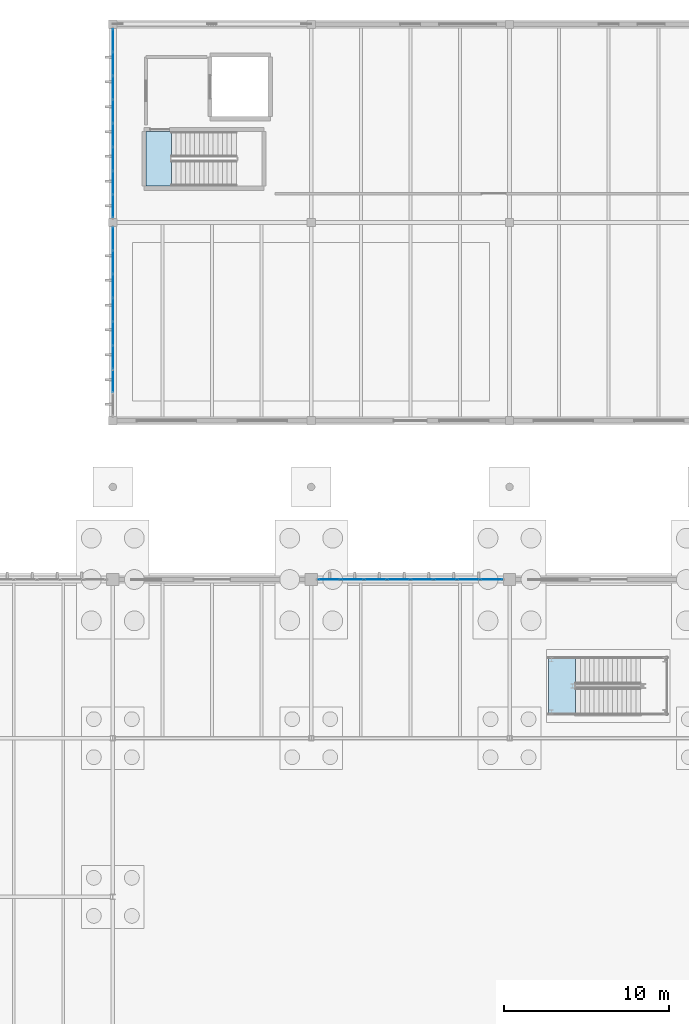
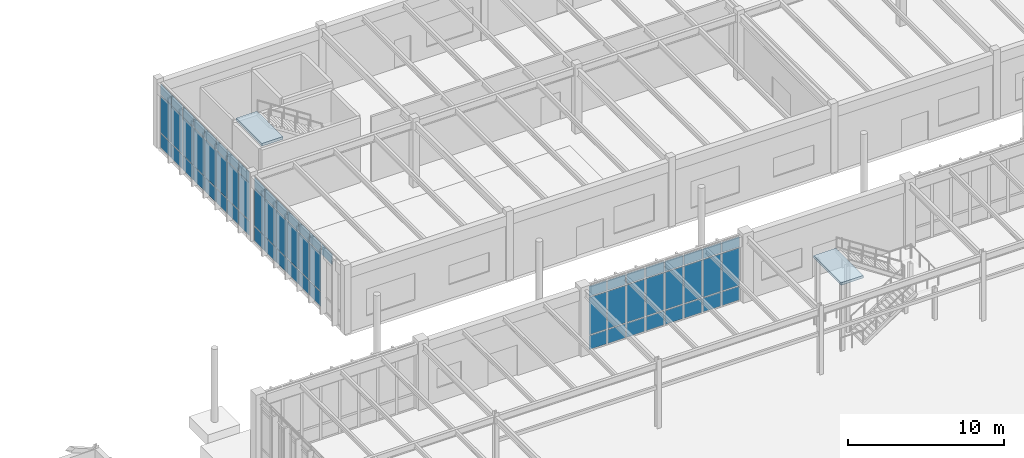
# One storey, part 137 of 188: 67 plates, 2 slabs, 5 elements without a shape of their own.
"""IFC4 building model written with IfcOpenShell, lengths in metres."""

import ifcopenshell
import ifcopenshell.guid

model = None  # the IFC model being written
_history = None  # IfcOwnerHistory: only IFC2X3 demands one
_inside = {}  # id of a spatial element -> (the spatial element, [elements in it])
_under = {}  # id of a project, library or spatial element -> (it, [spatial elements below it])
_declared = {}  # id of a project -> (the project, [libraries it declares])
_typed = {}  # id of a type object -> (the type object, [elements of that type])
_made_of = {}  # id of a material, layer set ... -> (it, [elements and type objects made of it])


def new_model(schema):
    """Start an empty IFC model of exactly this schema.

    Asked for "IFC4X3", IfcOpenShell would pick the latest addendum, in which some entities
    have other attributes; the version numbers below select the first issue.
    IFC2X3 requires an IfcOwnerHistory on every rooted entity: one is made here for all.
    """
    global model, _history
    if schema == "IFC4X3":
        model = ifcopenshell.file(schema_version=(4, 3, 0, 0))
    else:
        model = ifcopenshell.file(schema=schema)
    _inside.clear()
    _under.clear()
    _declared.clear()
    _typed.clear()
    _made_of.clear()
    _history = None
    if model.schema == "IFC2X3":
        org = make("IfcOrganization", Name="unknown")
        user = make(
            "IfcPersonAndOrganization",
            ThePerson=make("IfcPerson", FamilyName="unknown"),
            TheOrganization=org,
        )
        app = make(
            "IfcApplication",
            ApplicationDeveloper=org,
            Version="unknown",
            ApplicationFullName="unknown",
            ApplicationIdentifier="unknown",
        )
        _history = make(
            "IfcOwnerHistory",
            OwningUser=user,
            OwningApplication=app,
            ChangeAction="ADDED",
            CreationDate=0,
        )
    return model


def make(cls, **values):
    """One entity of the class cls with the attributes given. An attribute that is None is left unset."""
    return model.create_entity(
        cls, **{name: value for name, value in values.items() if value is not None}
    )


def rooted(cls, **values):
    """An entity with a GlobalId (a new one), such as an element, a storey or a relation."""
    return make(cls, GlobalId=ifcopenshell.guid.new(), OwnerHistory=_history, **values)


def si_unit(unit_type, name, prefix=None):
    """IfcSIUnit, for example si_unit("LENGTHUNIT", "METRE", prefix="MILLI")."""
    return make("IfcSIUnit", UnitType=unit_type, Prefix=prefix, Name=name)


def assignment(units):
    """IfcUnitAssignment: the units of a project."""
    return None if units is None else make("IfcUnitAssignment", Units=units)


def point(xyz):
    """IfcCartesianPoint."""
    return None if xyz is None else make("IfcCartesianPoint", Coordinates=xyz)


def direction(xyz):
    """IfcDirection."""
    return None if xyz is None else make("IfcDirection", DirectionRatios=xyz)


def frame(location, z_axis=None, x_axis=None):
    """IfcAxis2Placement3D, a coordinate frame: its origin and axes. An axis left out is left unset."""
    return make(
        "IfcAxis2Placement3D",
        Location=point(location),
        Axis=direction(z_axis),
        RefDirection=direction(x_axis),
    )


def frame_2d(location, x_axis=None):
    """IfcAxis2Placement2D, a coordinate frame in the plane: its origin and x axis."""
    return make(
        "IfcAxis2Placement2D", Location=point(location), RefDirection=direction(x_axis)
    )


def origin():
    """The frame at (0, 0, 0) with its axes left unset."""
    return frame((0.0, 0.0, 0.0))


def origin_2d():
    """The frame at (0, 0) in the plane with its x axis left unset."""
    return frame_2d((0.0, 0.0))


def place(relative_to, where):
    """IfcLocalPlacement: puts the frame where relative to a parent placement (None: the world)."""
    return make(
        "IfcLocalPlacement", PlacementRelTo=relative_to, RelativePlacement=where
    )


def context(
    kind, dimensions, precision=None, world=None, true_north=None, identifier=None
):
    """IfcGeometricRepresentationContext, for example the 3D "Model" context."""
    return make(
        "IfcGeometricRepresentationContext",
        ContextIdentifier=identifier,
        ContextType=kind,
        CoordinateSpaceDimension=dimensions,
        Precision=precision,
        WorldCoordinateSystem=world,
        TrueNorth=true_north,
    )


def subcontext(parent, identifier, kind, view, scale=None):
    """IfcGeometricRepresentationSubContext, for example "Body" below "Model"."""
    return make(
        "IfcGeometricRepresentationSubContext",
        ContextIdentifier=identifier,
        ContextType=kind,
        ParentContext=parent,
        TargetScale=scale,
        TargetView=view,
    )


def project(units=None, contexts=None):
    """IfcProject with its units and contexts."""
    return rooted(
        "IfcProject",
        Name="project",
        RepresentationContexts=contexts,
        UnitsInContext=assignment(units),
    )


def spatial(cls, under=None, at=None, **own):
    """A site, building, storey or space (cls), placed at a placement, below another one or the project."""
    s = rooted(cls, ObjectPlacement=at, **own)
    if under is not None:
        _under.setdefault(under.id(), (under, []))[1].append(s)
    return s


def polyline(points):
    """IfcPolyline through the points."""
    return make("IfcPolyline", Points=[point(p) for p in points])


def profile(cls, at=None, kind="AREA", **sizes):
    """A parametric profile (cls). Its sizes go by their IFC names, for example OverallWidth=200.0."""
    return make(cls, ProfileType=kind, Position=at, **sizes)


def rectangle(**sizes):
    """IfcRectangleProfileDef."""
    return profile("IfcRectangleProfileDef", **sizes)


def outline(outer, holes=None, kind="AREA"):
    """IfcArbitraryClosedProfileDef: a profile drawn as a closed curve; with holes, ...WithVoids."""
    if holes is None:
        return make("IfcArbitraryClosedProfileDef", ProfileType=kind, OuterCurve=outer)
    return make(
        "IfcArbitraryProfileDefWithVoids",
        ProfileType=kind,
        OuterCurve=outer,
        InnerCurves=holes,
    )


def extrude(swept, where, along, depth):
    """IfcExtrudedAreaSolid: the profile swept, set in the frame where, extruded along a direction by depth."""
    return make(
        "IfcExtrudedAreaSolid",
        SweptArea=swept,
        Position=where,
        ExtrudedDirection=direction(along),
        Depth=depth,
    )


def shape(context_of_items, identifier, shape_type, items):
    """IfcShapeRepresentation: the items that make up one representation, for example the "Body"."""
    return make(
        "IfcShapeRepresentation",
        ContextOfItems=context_of_items,
        RepresentationIdentifier=identifier,
        RepresentationType=shape_type,
        Items=items,
    )


def material(Name=None, Category=None):
    """IfcMaterial."""
    return make("IfcMaterial", Name=Name, Category=Category)


def layer(
    of_material, thickness, ventilated=None, Name=None, Category=None, Priority=None
):
    """IfcMaterialLayer: one layer of a wall or slab, of a material (None: an air gap)."""
    return make(
        "IfcMaterialLayer",
        Material=of_material,
        LayerThickness=thickness,
        IsVentilated=ventilated,
        Name=Name,
        Category=Category,
        Priority=Priority,
    )


def layer_set(layers, Name=None):
    """IfcMaterialLayerSet."""
    return make("IfcMaterialLayerSet", MaterialLayers=layers, LayerSetName=Name)


def made_of(thing, what):
    """Note that an element or type object is made of a material, layer set ...; save() writes the relation."""
    if what is not None:
        _made_of.setdefault(what.id(), (what, []))[1].append(thing)
    return thing


def type_object(cls, material=None, **own):
    """A type object (cls), such as IfcWallType, which elements share."""
    return made_of(rooted(cls, **own), material)


def element(
    cls,
    number,
    at=None,
    inside=None,
    cuts=None,
    type_object=None,
    material=None,
    context=None,
    identifier="Body",
    shape_type=None,
    held_by="IfcProductDefinitionShape",
    body=None,
    shapes=None,
    **own,
):
    """One element of the class cls, such as IfcWall. Its Tag is "e" and its number.

    at: its placement. inside: the storey or other place that contains it. cuts: it is an
    opening in that element (IfcRelVoidsElement). A single representation is given by context,
    identifier, shape_type and body (its items); several are given by shapes. held_by: the class
    of the entity that holds the representations. save() writes the other relations.
    """
    e = rooted(cls, Tag="e%d" % number, ObjectPlacement=at, **own)
    if body is not None:
        shapes = [shape(context, identifier, shape_type, body)]
    if shapes is not None:
        e.Representation = make(held_by, Representations=shapes)
    if inside is not None:
        _inside.setdefault(inside.id(), (inside, []))[1].append(e)
    if cuts is not None:
        rooted(
            "IfcRelVoidsElement", RelatingBuildingElement=cuts, RelatedOpeningElement=e
        )
    if type_object is not None:
        _typed.setdefault(type_object.id(), (type_object, []))[1].append(e)
    return made_of(e, material)


def aggregate(whole, parts):
    """IfcRelAggregates: a whole, such as a stair, and the parts it consists of."""
    return rooted("IfcRelAggregates", RelatingObject=whole, RelatedObjects=parts)


def save(model, path):
    """Write the relations noted so far, then the file.

    IfcRelAggregates (storeys below a building ...), IfcRelContainedInSpatialStructure (elements
    in a storey), IfcRelDefinesByType, IfcRelAssociatesMaterial and IfcRelDeclares: one each for
    every whole, place, type object, material and project.
    """
    for whole, parts in _under.values():
        aggregate(whole, parts)
    for where, things in _inside.values():
        rooted(
            "IfcRelContainedInSpatialStructure",
            RelatedElements=things,
            RelatingStructure=where,
        )
    for kind, things in _typed.values():
        rooted("IfcRelDefinesByType", RelatedObjects=things, RelatingType=kind)
    for what, things in _made_of.values():
        rooted("IfcRelAssociatesMaterial", RelatedObjects=things, RelatingMaterial=what)
    for by, libraries in _declared.values():
        rooted("IfcRelDeclares", RelatingContext=by, RelatedDefinitions=libraries)
    model.write(path)


model = new_model("IFC4")

# Units and contexts
model_context = context("Model", 3, precision=1e-05, world=origin(), true_north=direction((0.0, 1.0)))
body_context = subcontext(model_context, "Body", "Model", "MODEL_VIEW")
ifc_project = project(units=[si_unit("LENGTHUNIT", "METRE"), si_unit("AREAUNIT", "SQUARE_METRE"), si_unit("VOLUMEUNIT", "CUBIC_METRE"), si_unit("PLANEANGLEUNIT", "RADIAN"), si_unit("MASSUNIT", "GRAM", prefix="KILO")], contexts=[model_context])

# Site, building, storey
site_placement = place(None, origin())
site = spatial("IfcSite", under=ifc_project, at=site_placement, CompositionType="ELEMENT")
building_placement = place(site_placement, origin())
building = spatial("IfcBuilding", under=site, at=building_placement, Name="Pandanus Reach Market Hall", CompositionType="ELEMENT")
storey_placement = place(building_placement, origin())
storey = spatial("IfcBuildingStorey", under=building, at=storey_placement, Name="L00", CompositionType="ELEMENT", Elevation=0.0)

# Curtain wall, plates
ifc_material_1 = material(Name="Bronze anodised aluminium and low-E glass", Category="aluminium")
ifc_layer_1 = layer(ifc_material_1, 0.159912109375, Name="CW-41")
ifc_layer_set_1 = layer_set([ifc_layer_1], Name="Bronze anodised aluminium and low-E glass")
curtain_wall_type_1 = type_object("IfcCurtainWallType", Name="CW-41", PredefinedType="NOTDEFINED", material=ifc_layer_set_1)
curtain_wall_1_placement = place(storey_placement, origin())
curtain_wall_1 = element("IfcCurtainWall", 1, at=curtain_wall_1_placement, inside=storey, type_object=curtain_wall_type_1, Name="Glazed curtain wall CW-41 CW-0147", PredefinedType="NOTDEFINED")
ifc_material_2 = material(Name="Solar-control double glazing", Category="glass")
ifc_layer_2 = layer(ifc_material_2, 0.028076171875, Name="CW-P1")
ifc_layer_set_2 = layer_set([ifc_layer_2], Name="Solar-control double glazing")
plate_type_1 = type_object("IfcPlateType", Name="CW-P1", PredefinedType="CURTAIN_PANEL", material=ifc_layer_set_2)
plate_1_placement = place(storey_placement, frame((60.0, 98.40625, 4.21240234375), z_axis=(0.0, 0.0, 1.0), x_axis=(0.0, 1.0, 0.0)))
plate_1 = element("IfcPlate", 2, at=plate_1_placement, type_object=plate_type_1, Name="CW-41 panel 2.3", PredefinedType="CURTAIN_PANEL", context=body_context, shape_type="SweptSolid", body=[
    extrude(rectangle(XDim=1.37255859375, YDim=0.028076171875, at=origin_2d()), origin(), (0.0, 0.0, 1.0), 0.802490234375),
])
plate_2_placement = place(storey_placement, frame((60.0, 99.84375, 0.06494140625), z_axis=(0.0, 0.0, 1.0), x_axis=(0.0, 1.0, 0.0)))
plate_2 = element("IfcPlate", 3, at=plate_2_placement, type_object=plate_type_1, Name="CW-41 panel 3.1", PredefinedType="CURTAIN_PANEL", context=body_context, shape_type="SweptSolid", body=[
    extrude(rectangle(XDim=1.37255859375, YDim=0.028076171875, at=origin_2d()), origin(), (0.0, 0.0, 1.0), 1.1025390625),
])
plate_3_placement = place(storey_placement, frame((60.0, 99.84375, 1.232421875), z_axis=(0.0, 0.0, 1.0), x_axis=(0.0, 1.0, 0.0)))
plate_3 = element("IfcPlate", 4, at=plate_3_placement, type_object=plate_type_1, Name="CW-41 panel 3.2", PredefinedType="CURTAIN_PANEL", context=body_context, shape_type="SweptSolid", body=[
    extrude(rectangle(XDim=1.37255859375, YDim=0.028076171875, at=origin_2d()), origin(), (0.0, 0.0, 1.0), 2.9150390625),
])
plate_4_placement = place(storey_placement, frame((60.0, 99.84375, 4.21240234375), z_axis=(0.0, 0.0, 1.0), x_axis=(0.0, 1.0, 0.0)))
plate_4 = element("IfcPlate", 5, at=plate_4_placement, type_object=plate_type_1, Name="CW-41 panel 3.3", PredefinedType="CURTAIN_PANEL", context=body_context, shape_type="SweptSolid", body=[
    extrude(rectangle(XDim=1.37255859375, YDim=0.028076171875, at=origin_2d()), origin(), (0.0, 0.0, 1.0), 0.802490234375),
])
plate_5_placement = place(storey_placement, frame((60.0, 101.28125, 0.06494140625), z_axis=(0.0, 0.0, 1.0), x_axis=(0.0, 1.0, 0.0)))
plate_5 = element("IfcPlate", 6, at=plate_5_placement, type_object=plate_type_1, Name="CW-41 panel 4.1", PredefinedType="CURTAIN_PANEL", context=body_context, shape_type="SweptSolid", body=[
    extrude(rectangle(XDim=1.37255859375, YDim=0.028076171875, at=origin_2d()), origin(), (0.0, 0.0, 1.0), 1.1025390625),
])
plate_6_placement = place(storey_placement, frame((60.0, 101.28125, 1.232421875), z_axis=(0.0, 0.0, 1.0), x_axis=(0.0, 1.0, 0.0)))
plate_6 = element("IfcPlate", 7, at=plate_6_placement, type_object=plate_type_1, Name="CW-41 panel 4.2", PredefinedType="CURTAIN_PANEL", context=body_context, shape_type="SweptSolid", body=[
    extrude(rectangle(XDim=1.37255859375, YDim=0.028076171875, at=origin_2d()), origin(), (0.0, 0.0, 1.0), 2.9150390625),
])
plate_7_placement = place(storey_placement, frame((60.0, 101.28125, 4.21240234375), z_axis=(0.0, 0.0, 1.0), x_axis=(0.0, 1.0, 0.0)))
plate_7 = element("IfcPlate", 8, at=plate_7_placement, type_object=plate_type_1, Name="CW-41 panel 4.3", PredefinedType="CURTAIN_PANEL", context=body_context, shape_type="SweptSolid", body=[
    extrude(rectangle(XDim=1.37255859375, YDim=0.028076171875, at=origin_2d()), origin(), (0.0, 0.0, 1.0), 0.802490234375),
])
plate_8_placement = place(storey_placement, frame((60.0, 102.71875, 0.06494140625), z_axis=(0.0, 0.0, 1.0), x_axis=(0.0, 1.0, 0.0)))
plate_8 = element("IfcPlate", 9, at=plate_8_placement, type_object=plate_type_1, Name="CW-41 panel 5.1", PredefinedType="CURTAIN_PANEL", context=body_context, shape_type="SweptSolid", body=[
    extrude(rectangle(XDim=1.37255859375, YDim=0.028076171875, at=origin_2d()), origin(), (0.0, 0.0, 1.0), 1.1025390625),
])
plate_9_placement = place(storey_placement, frame((60.0, 102.71875, 1.232421875), z_axis=(0.0, 0.0, 1.0), x_axis=(0.0, 1.0, 0.0)))
plate_9 = element("IfcPlate", 10, at=plate_9_placement, type_object=plate_type_1, Name="CW-41 panel 5.2", PredefinedType="CURTAIN_PANEL", context=body_context, shape_type="SweptSolid", body=[
    extrude(rectangle(XDim=1.37255859375, YDim=0.028076171875, at=origin_2d()), origin(), (0.0, 0.0, 1.0), 2.9150390625),
])
plate_10_placement = place(storey_placement, frame((60.0, 102.71875, 4.21240234375), z_axis=(0.0, 0.0, 1.0), x_axis=(0.0, 1.0, 0.0)))
plate_10 = element("IfcPlate", 11, at=plate_10_placement, type_object=plate_type_1, Name="CW-41 panel 5.3", PredefinedType="CURTAIN_PANEL", context=body_context, shape_type="SweptSolid", body=[
    extrude(rectangle(XDim=1.37255859375, YDim=0.028076171875, at=origin_2d()), origin(), (0.0, 0.0, 1.0), 0.802490234375),
])
plate_11_placement = place(storey_placement, frame((60.0, 104.15625, 0.06494140625), z_axis=(0.0, 0.0, 1.0), x_axis=(0.0, 1.0, 0.0)))
plate_11 = element("IfcPlate", 12, at=plate_11_placement, type_object=plate_type_1, Name="CW-41 panel 6.1", PredefinedType="CURTAIN_PANEL", context=body_context, shape_type="SweptSolid", body=[
    extrude(rectangle(XDim=1.37255859375, YDim=0.028076171875, at=origin_2d()), origin(), (0.0, 0.0, 1.0), 1.1025390625),
])
plate_12_placement = place(storey_placement, frame((60.0, 104.15625, 1.232421875), z_axis=(0.0, 0.0, 1.0), x_axis=(0.0, 1.0, 0.0)))
plate_12 = element("IfcPlate", 13, at=plate_12_placement, type_object=plate_type_1, Name="CW-41 panel 6.2", PredefinedType="CURTAIN_PANEL", context=body_context, shape_type="SweptSolid", body=[
    extrude(rectangle(XDim=1.37255859375, YDim=0.028076171875, at=origin_2d()), origin(), (0.0, 0.0, 1.0), 2.9150390625),
])
plate_13_placement = place(storey_placement, frame((60.0, 104.15625, 4.21240234375), z_axis=(0.0, 0.0, 1.0), x_axis=(0.0, 1.0, 0.0)))
plate_13 = element("IfcPlate", 14, at=plate_13_placement, type_object=plate_type_1, Name="CW-41 panel 6.3", PredefinedType="CURTAIN_PANEL", context=body_context, shape_type="SweptSolid", body=[
    extrude(rectangle(XDim=1.37255859375, YDim=0.028076171875, at=origin_2d()), origin(), (0.0, 0.0, 1.0), 0.802490234375),
])
plate_14_placement = place(storey_placement, frame((60.0, 105.59375, 0.06494140625), z_axis=(0.0, 0.0, 1.0), x_axis=(0.0, 1.0, 0.0)))
plate_14 = element("IfcPlate", 15, at=plate_14_placement, type_object=plate_type_1, Name="CW-41 panel 7.1", PredefinedType="CURTAIN_PANEL", context=body_context, shape_type="SweptSolid", body=[
    extrude(rectangle(XDim=1.37255859375, YDim=0.028076171875, at=origin_2d()), origin(), (0.0, 0.0, 1.0), 1.1025390625),
])
plate_15_placement = place(storey_placement, frame((60.0, 105.59375, 1.232421875), z_axis=(0.0, 0.0, 1.0), x_axis=(0.0, 1.0, 0.0)))
plate_15 = element("IfcPlate", 16, at=plate_15_placement, type_object=plate_type_1, Name="CW-41 panel 7.2", PredefinedType="CURTAIN_PANEL", context=body_context, shape_type="SweptSolid", body=[
    extrude(rectangle(XDim=1.37255859375, YDim=0.028076171875, at=origin_2d()), origin(), (0.0, 0.0, 1.0), 2.9150390625),
])
plate_16_placement = place(storey_placement, frame((60.0, 105.59375, 4.21240234375), z_axis=(0.0, 0.0, 1.0), x_axis=(0.0, 1.0, 0.0)))
plate_16 = element("IfcPlate", 17, at=plate_16_placement, type_object=plate_type_1, Name="CW-41 panel 7.3", PredefinedType="CURTAIN_PANEL", context=body_context, shape_type="SweptSolid", body=[
    extrude(rectangle(XDim=1.37255859375, YDim=0.028076171875, at=origin_2d()), origin(), (0.0, 0.0, 1.0), 0.802490234375),
])
plate_17_placement = place(storey_placement, frame((60.0, 107.014892578125, 0.06494140625), z_axis=(0.0, 0.0, 1.0), x_axis=(0.0, 1.0, 0.0)))
plate_17 = element("IfcPlate", 18, at=plate_17_placement, type_object=plate_type_1, Name="CW-41 panel 8.1", PredefinedType="CURTAIN_PANEL", context=body_context, shape_type="SweptSolid", body=[
    extrude(rectangle(XDim=1.340087890625, YDim=0.028076171875, at=origin_2d()), origin(), (0.0, 0.0, 1.0), 1.1025390625),
])
plate_18_placement = place(storey_placement, frame((60.0, 107.014892578125, 1.232421875), z_axis=(0.0, 0.0, 1.0), x_axis=(0.0, 1.0, 0.0)))
plate_18 = element("IfcPlate", 19, at=plate_18_placement, type_object=plate_type_1, Name="CW-41 panel 8.2", PredefinedType="CURTAIN_PANEL", context=body_context, shape_type="SweptSolid", body=[
    extrude(rectangle(XDim=1.340087890625, YDim=0.028076171875, at=origin_2d()), origin(), (0.0, 0.0, 1.0), 2.9150390625),
])
plate_19_placement = place(storey_placement, frame((60.0, 107.014892578125, 4.21240234375), z_axis=(0.0, 0.0, 1.0), x_axis=(0.0, 1.0, 0.0)))
plate_19 = element("IfcPlate", 20, at=plate_19_placement, type_object=plate_type_1, Name="CW-41 panel 8.3", PredefinedType="CURTAIN_PANEL", context=body_context, shape_type="SweptSolid", body=[
    extrude(rectangle(XDim=1.340087890625, YDim=0.028076171875, at=origin_2d()), origin(), (0.0, 0.0, 1.0), 0.802490234375),
])
aggregate(curtain_wall_1, [plate_1, plate_2, plate_3, plate_4, plate_5, plate_6, plate_7, plate_8, plate_9, plate_10, plate_11, plate_12, plate_13, plate_14, plate_15, plate_16, plate_17, plate_18, plate_19])

curtain_wall_2_placement = place(storey_placement, origin())
curtain_wall_2 = element("IfcCurtainWall", 21, at=curtain_wall_2_placement, inside=storey, type_object=curtain_wall_type_1, Name="Glazed curtain wall CW-41 CW-0150", PredefinedType="NOTDEFINED")
plate_20_placement = place(storey_placement, frame((60.0, 108.985107421875, 0.06494140625), z_axis=(0.0, 0.0, 1.0), x_axis=(0.0, 1.0, 0.0)))
plate_20 = element("IfcPlate", 22, at=plate_20_placement, type_object=plate_type_1, Name="CW-41 panel 1.1", PredefinedType="CURTAIN_PANEL", context=body_context, shape_type="SweptSolid", body=[
    extrude(rectangle(XDim=1.340087890625, YDim=0.028076171875, at=origin_2d()), origin(), (0.0, 0.0, 1.0), 1.1025390625),
])
plate_21_placement = place(storey_placement, frame((60.0, 108.985107421875, 1.232421875), z_axis=(0.0, 0.0, 1.0), x_axis=(0.0, 1.0, 0.0)))
plate_21 = element("IfcPlate", 23, at=plate_21_placement, type_object=plate_type_1, Name="CW-41 panel 1.2", PredefinedType="CURTAIN_PANEL", context=body_context, shape_type="SweptSolid", body=[
    extrude(rectangle(XDim=1.340087890625, YDim=0.028076171875, at=origin_2d()), origin(), (0.0, 0.0, 1.0), 2.9150390625),
])
plate_22_placement = place(storey_placement, frame((60.0, 108.985107421875, 4.21240234375), z_axis=(0.0, 0.0, 1.0), x_axis=(0.0, 1.0, 0.0)))
plate_22 = element("IfcPlate", 24, at=plate_22_placement, type_object=plate_type_1, Name="CW-41 panel 1.3", PredefinedType="CURTAIN_PANEL", context=body_context, shape_type="SweptSolid", body=[
    extrude(rectangle(XDim=1.340087890625, YDim=0.028076171875, at=origin_2d()), origin(), (0.0, 0.0, 1.0), 0.802490234375),
])
plate_23_placement = place(storey_placement, frame((60.0, 110.40625, 0.06494140625), z_axis=(0.0, 0.0, 1.0), x_axis=(0.0, 1.0, 0.0)))
plate_23 = element("IfcPlate", 25, at=plate_23_placement, type_object=plate_type_1, Name="CW-41 panel 2.1", PredefinedType="CURTAIN_PANEL", context=body_context, shape_type="SweptSolid", body=[
    extrude(rectangle(XDim=1.37255859375, YDim=0.028076171875, at=origin_2d()), origin(), (0.0, 0.0, 1.0), 1.1025390625),
])
plate_24_placement = place(storey_placement, frame((60.0, 110.40625, 1.232421875), z_axis=(0.0, 0.0, 1.0), x_axis=(0.0, 1.0, 0.0)))
plate_24 = element("IfcPlate", 26, at=plate_24_placement, type_object=plate_type_1, Name="CW-41 panel 2.2", PredefinedType="CURTAIN_PANEL", context=body_context, shape_type="SweptSolid", body=[
    extrude(rectangle(XDim=1.37255859375, YDim=0.028076171875, at=origin_2d()), origin(), (0.0, 0.0, 1.0), 2.9150390625),
])
plate_25_placement = place(storey_placement, frame((60.0, 110.40625, 4.21240234375), z_axis=(0.0, 0.0, 1.0), x_axis=(0.0, 1.0, 0.0)))
plate_25 = element("IfcPlate", 27, at=plate_25_placement, type_object=plate_type_1, Name="CW-41 panel 2.3", PredefinedType="CURTAIN_PANEL", context=body_context, shape_type="SweptSolid", body=[
    extrude(rectangle(XDim=1.37255859375, YDim=0.028076171875, at=origin_2d()), origin(), (0.0, 0.0, 1.0), 0.802490234375),
])
plate_26_placement = place(storey_placement, frame((60.0, 111.84375, 0.06494140625), z_axis=(0.0, 0.0, 1.0), x_axis=(0.0, 1.0, 0.0)))
plate_26 = element("IfcPlate", 28, at=plate_26_placement, type_object=plate_type_1, Name="CW-41 panel 3.1", PredefinedType="CURTAIN_PANEL", context=body_context, shape_type="SweptSolid", body=[
    extrude(rectangle(XDim=1.37255859375, YDim=0.028076171875, at=origin_2d()), origin(), (0.0, 0.0, 1.0), 1.1025390625),
])
plate_27_placement = place(storey_placement, frame((60.0, 111.84375, 1.232421875), z_axis=(0.0, 0.0, 1.0), x_axis=(0.0, 1.0, 0.0)))
plate_27 = element("IfcPlate", 29, at=plate_27_placement, type_object=plate_type_1, Name="CW-41 panel 3.2", PredefinedType="CURTAIN_PANEL", context=body_context, shape_type="SweptSolid", body=[
    extrude(rectangle(XDim=1.37255859375, YDim=0.028076171875, at=origin_2d()), origin(), (0.0, 0.0, 1.0), 2.9150390625),
])
plate_28_placement = place(storey_placement, frame((60.0, 111.84375, 4.21240234375), z_axis=(0.0, 0.0, 1.0), x_axis=(0.0, 1.0, 0.0)))
plate_28 = element("IfcPlate", 30, at=plate_28_placement, type_object=plate_type_1, Name="CW-41 panel 3.3", PredefinedType="CURTAIN_PANEL", context=body_context, shape_type="SweptSolid", body=[
    extrude(rectangle(XDim=1.37255859375, YDim=0.028076171875, at=origin_2d()), origin(), (0.0, 0.0, 1.0), 0.802490234375),
])
plate_29_placement = place(storey_placement, frame((60.0, 113.28125, 0.06494140625), z_axis=(0.0, 0.0, 1.0), x_axis=(0.0, 1.0, 0.0)))
plate_29 = element("IfcPlate", 31, at=plate_29_placement, type_object=plate_type_1, Name="CW-41 panel 4.1", PredefinedType="CURTAIN_PANEL", context=body_context, shape_type="SweptSolid", body=[
    extrude(rectangle(XDim=1.37255859375, YDim=0.028076171875, at=origin_2d()), origin(), (0.0, 0.0, 1.0), 1.1025390625),
])
plate_30_placement = place(storey_placement, frame((60.0, 113.28125, 1.232421875), z_axis=(0.0, 0.0, 1.0), x_axis=(0.0, 1.0, 0.0)))
plate_30 = element("IfcPlate", 32, at=plate_30_placement, type_object=plate_type_1, Name="CW-41 panel 4.2", PredefinedType="CURTAIN_PANEL", context=body_context, shape_type="SweptSolid", body=[
    extrude(rectangle(XDim=1.37255859375, YDim=0.028076171875, at=origin_2d()), origin(), (0.0, 0.0, 1.0), 2.9150390625),
])
plate_31_placement = place(storey_placement, frame((60.0, 113.28125, 4.21240234375), z_axis=(0.0, 0.0, 1.0), x_axis=(0.0, 1.0, 0.0)))
plate_31 = element("IfcPlate", 33, at=plate_31_placement, type_object=plate_type_1, Name="CW-41 panel 4.3", PredefinedType="CURTAIN_PANEL", context=body_context, shape_type="SweptSolid", body=[
    extrude(rectangle(XDim=1.37255859375, YDim=0.028076171875, at=origin_2d()), origin(), (0.0, 0.0, 1.0), 0.802490234375),
])
plate_32_placement = place(storey_placement, frame((60.0, 114.71875, 0.06494140625), z_axis=(0.0, 0.0, 1.0), x_axis=(0.0, 1.0, 0.0)))
plate_32 = element("IfcPlate", 34, at=plate_32_placement, type_object=plate_type_1, Name="CW-41 panel 5.1", PredefinedType="CURTAIN_PANEL", context=body_context, shape_type="SweptSolid", body=[
    extrude(rectangle(XDim=1.37255859375, YDim=0.028076171875, at=origin_2d()), origin(), (0.0, 0.0, 1.0), 1.1025390625),
])
plate_33_placement = place(storey_placement, frame((60.0, 114.71875, 1.232421875), z_axis=(0.0, 0.0, 1.0), x_axis=(0.0, 1.0, 0.0)))
plate_33 = element("IfcPlate", 35, at=plate_33_placement, type_object=plate_type_1, Name="CW-41 panel 5.2", PredefinedType="CURTAIN_PANEL", context=body_context, shape_type="SweptSolid", body=[
    extrude(rectangle(XDim=1.37255859375, YDim=0.028076171875, at=origin_2d()), origin(), (0.0, 0.0, 1.0), 2.9150390625),
])
plate_34_placement = place(storey_placement, frame((60.0, 114.71875, 4.21240234375), z_axis=(0.0, 0.0, 1.0), x_axis=(0.0, 1.0, 0.0)))
plate_34 = element("IfcPlate", 36, at=plate_34_placement, type_object=plate_type_1, Name="CW-41 panel 5.3", PredefinedType="CURTAIN_PANEL", context=body_context, shape_type="SweptSolid", body=[
    extrude(rectangle(XDim=1.37255859375, YDim=0.028076171875, at=origin_2d()), origin(), (0.0, 0.0, 1.0), 0.802490234375),
])
plate_35_placement = place(storey_placement, frame((60.0, 116.15625, 0.06494140625), z_axis=(0.0, 0.0, 1.0), x_axis=(0.0, 1.0, 0.0)))
plate_35 = element("IfcPlate", 37, at=plate_35_placement, type_object=plate_type_1, Name="CW-41 panel 6.1", PredefinedType="CURTAIN_PANEL", context=body_context, shape_type="SweptSolid", body=[
    extrude(rectangle(XDim=1.37255859375, YDim=0.028076171875, at=origin_2d()), origin(), (0.0, 0.0, 1.0), 1.1025390625),
])
plate_36_placement = place(storey_placement, frame((60.0, 116.15625, 1.232421875), z_axis=(0.0, 0.0, 1.0), x_axis=(0.0, 1.0, 0.0)))
plate_36 = element("IfcPlate", 38, at=plate_36_placement, type_object=plate_type_1, Name="CW-41 panel 6.2", PredefinedType="CURTAIN_PANEL", context=body_context, shape_type="SweptSolid", body=[
    extrude(rectangle(XDim=1.37255859375, YDim=0.028076171875, at=origin_2d()), origin(), (0.0, 0.0, 1.0), 2.9150390625),
])
plate_37_placement = place(storey_placement, frame((60.0, 116.15625, 4.21240234375), z_axis=(0.0, 0.0, 1.0), x_axis=(0.0, 1.0, 0.0)))
plate_37 = element("IfcPlate", 39, at=plate_37_placement, type_object=plate_type_1, Name="CW-41 panel 6.3", PredefinedType="CURTAIN_PANEL", context=body_context, shape_type="SweptSolid", body=[
    extrude(rectangle(XDim=1.37255859375, YDim=0.028076171875, at=origin_2d()), origin(), (0.0, 0.0, 1.0), 0.802490234375),
])
plate_38_placement = place(storey_placement, frame((60.0, 117.59375, 0.06494140625), z_axis=(0.0, 0.0, 1.0), x_axis=(0.0, 1.0, 0.0)))
plate_38 = element("IfcPlate", 40, at=plate_38_placement, type_object=plate_type_1, Name="CW-41 panel 7.1", PredefinedType="CURTAIN_PANEL", context=body_context, shape_type="SweptSolid", body=[
    extrude(rectangle(XDim=1.37255859375, YDim=0.028076171875, at=origin_2d()), origin(), (0.0, 0.0, 1.0), 1.1025390625),
])
plate_39_placement = place(storey_placement, frame((60.0, 117.59375, 1.232421875), z_axis=(0.0, 0.0, 1.0), x_axis=(0.0, 1.0, 0.0)))
plate_39 = element("IfcPlate", 41, at=plate_39_placement, type_object=plate_type_1, Name="CW-41 panel 7.2", PredefinedType="CURTAIN_PANEL", context=body_context, shape_type="SweptSolid", body=[
    extrude(rectangle(XDim=1.37255859375, YDim=0.028076171875, at=origin_2d()), origin(), (0.0, 0.0, 1.0), 2.9150390625),
])
plate_40_placement = place(storey_placement, frame((60.0, 117.59375, 4.21240234375), z_axis=(0.0, 0.0, 1.0), x_axis=(0.0, 1.0, 0.0)))
plate_40 = element("IfcPlate", 42, at=plate_40_placement, type_object=plate_type_1, Name="CW-41 panel 7.3", PredefinedType="CURTAIN_PANEL", context=body_context, shape_type="SweptSolid", body=[
    extrude(rectangle(XDim=1.37255859375, YDim=0.028076171875, at=origin_2d()), origin(), (0.0, 0.0, 1.0), 0.802490234375),
])
plate_41_placement = place(storey_placement, frame((60.0, 119.014892578125, 0.06494140625), z_axis=(0.0, 0.0, 1.0), x_axis=(0.0, 1.0, 0.0)))
plate_41 = element("IfcPlate", 43, at=plate_41_placement, type_object=plate_type_1, Name="CW-41 panel 8.1", PredefinedType="CURTAIN_PANEL", context=body_context, shape_type="SweptSolid", body=[
    extrude(rectangle(XDim=1.340087890625, YDim=0.028076171875, at=origin_2d()), origin(), (0.0, 0.0, 1.0), 1.1025390625),
])
plate_42_placement = place(storey_placement, frame((60.0, 119.014892578125, 1.232421875), z_axis=(0.0, 0.0, 1.0), x_axis=(0.0, 1.0, 0.0)))
plate_42 = element("IfcPlate", 44, at=plate_42_placement, type_object=plate_type_1, Name="CW-41 panel 8.2", PredefinedType="CURTAIN_PANEL", context=body_context, shape_type="SweptSolid", body=[
    extrude(rectangle(XDim=1.340087890625, YDim=0.028076171875, at=origin_2d()), origin(), (0.0, 0.0, 1.0), 2.9150390625),
])
plate_43_placement = place(storey_placement, frame((60.0, 119.014892578125, 4.21240234375), z_axis=(0.0, 0.0, 1.0), x_axis=(0.0, 1.0, 0.0)))
plate_43 = element("IfcPlate", 45, at=plate_43_placement, type_object=plate_type_1, Name="CW-41 panel 8.3", PredefinedType="CURTAIN_PANEL", context=body_context, shape_type="SweptSolid", body=[
    extrude(rectangle(XDim=1.340087890625, YDim=0.028076171875, at=origin_2d()), origin(), (0.0, 0.0, 1.0), 0.802490234375),
])
aggregate(curtain_wall_2, [plate_20, plate_21, plate_22, plate_23, plate_24, plate_25, plate_26, plate_27, plate_28, plate_29, plate_30, plate_31, plate_32, plate_33, plate_34, plate_35, plate_36, plate_37, plate_38, plate_39, plate_40, plate_41, plate_42, plate_43])

ifc_layer_3 = layer(ifc_material_1, 0.199951171875, Name="CW-01")
ifc_layer_set_3 = layer_set([ifc_layer_3], Name="Bronze anodised aluminium and low-E glass")
curtain_wall_type_2 = type_object("IfcCurtainWallType", Name="CW-01", PredefinedType="NOTDEFINED", material=ifc_layer_set_3)
curtain_wall_3_placement = place(storey_placement, origin())
curtain_wall_3 = element("IfcCurtainWall", 46, at=curtain_wall_3_placement, inside=storey, type_object=curtain_wall_type_2, Name="Glazed curtain wall CW-01 CW-0011", PredefinedType="NOTDEFINED")
ifc_material_3 = material(Name="Acoustic laminated solar double glazing", Category="glass")
ifc_layer_4 = layer(ifc_material_3, 0.031982421875, Name="CW-P2")
ifc_layer_set_4 = layer_set([ifc_layer_4], Name="Acoustic laminated solar double glazing")
plate_type_2 = type_object("IfcPlateType", Name="CW-P2", PredefinedType="CURTAIN_PANEL", material=ifc_layer_set_4)
plate_44_placement = place(storey_placement, frame((73.096923828125, 86.39990234375, 0.074951171875), z_axis=(0.0, 0.0, 1.0), x_axis=(1.0, 0.0, 0.0)))
plate_44 = element("IfcPlate", 47, at=plate_44_placement, type_object=plate_type_2, Name="CW-01 panel 1.1", PredefinedType="CURTAIN_PANEL", context=body_context, shape_type="SweptSolid", body=[
    extrude(rectangle(XDim=1.293701171875, YDim=0.031982421875, at=origin_2d()), origin(), (0.0, 0.0, 1.0), 1.08740234375),
])
plate_45_placement = place(storey_placement, frame((73.096923828125, 86.39990234375, 1.2373046875), z_axis=(0.0, 0.0, 1.0), x_axis=(1.0, 0.0, 0.0)))
plate_45 = element("IfcPlate", 48, at=plate_45_placement, type_object=plate_type_2, Name="CW-01 panel 1.2", PredefinedType="CURTAIN_PANEL", context=body_context, shape_type="SweptSolid", body=[
    extrude(rectangle(XDim=1.293701171875, YDim=0.031982421875, at=origin_2d()), origin(), (0.0, 0.0, 1.0), 2.925048828125),
])
plate_46_placement = place(storey_placement, frame((73.096923828125, 86.39990234375, 4.237548828125), z_axis=(0.0, 0.0, 1.0), x_axis=(1.0, 0.0, 0.0)))
plate_46 = element("IfcPlate", 49, at=plate_46_placement, type_object=plate_type_2, Name="CW-01 panel 1.3", PredefinedType="CURTAIN_PANEL", context=body_context, shape_type="SweptSolid", body=[
    extrude(rectangle(XDim=1.293701171875, YDim=0.031982421875, at=origin_2d()), origin(), (0.0, 0.0, 1.0), 0.78759765625),
])
plate_47_placement = place(storey_placement, frame((74.484375, 86.39990234375, 0.074951171875), z_axis=(0.0, 0.0, 1.0), x_axis=(1.0, 0.0, 0.0)))
plate_47 = element("IfcPlate", 50, at=plate_47_placement, type_object=plate_type_2, Name="CW-01 panel 2.1", PredefinedType="CURTAIN_PANEL", context=body_context, shape_type="SweptSolid", body=[
    extrude(rectangle(XDim=1.331298828125, YDim=0.031982421875, at=origin_2d()), origin(), (0.0, 0.0, 1.0), 1.08740234375),
])
plate_48_placement = place(storey_placement, frame((74.484375, 86.39990234375, 1.2373046875), z_axis=(0.0, 0.0, 1.0), x_axis=(1.0, 0.0, 0.0)))
plate_48 = element("IfcPlate", 51, at=plate_48_placement, type_object=plate_type_2, Name="CW-01 panel 2.2", PredefinedType="CURTAIN_PANEL", context=body_context, shape_type="SweptSolid", body=[
    extrude(rectangle(XDim=1.331298828125, YDim=0.031982421875, at=origin_2d()), origin(), (0.0, 0.0, 1.0), 2.925048828125),
])
plate_49_placement = place(storey_placement, frame((74.484375, 86.39990234375, 4.237548828125), z_axis=(0.0, 0.0, 1.0), x_axis=(1.0, 0.0, 0.0)))
plate_49 = element("IfcPlate", 52, at=plate_49_placement, type_object=plate_type_2, Name="CW-01 panel 2.3", PredefinedType="CURTAIN_PANEL", context=body_context, shape_type="SweptSolid", body=[
    extrude(rectangle(XDim=1.331298828125, YDim=0.031982421875, at=origin_2d()), origin(), (0.0, 0.0, 1.0), 0.78759765625),
])
plate_50_placement = place(storey_placement, frame((75.890625, 86.39990234375, 0.074951171875), z_axis=(0.0, 0.0, 1.0), x_axis=(1.0, 0.0, 0.0)))
plate_50 = element("IfcPlate", 53, at=plate_50_placement, type_object=plate_type_2, Name="CW-01 panel 3.1", PredefinedType="CURTAIN_PANEL", context=body_context, shape_type="SweptSolid", body=[
    extrude(rectangle(XDim=1.331298828125, YDim=0.031982421875, at=origin_2d()), origin(), (0.0, 0.0, 1.0), 1.08740234375),
])
plate_51_placement = place(storey_placement, frame((75.890625, 86.39990234375, 1.2373046875), z_axis=(0.0, 0.0, 1.0), x_axis=(1.0, 0.0, 0.0)))
plate_51 = element("IfcPlate", 54, at=plate_51_placement, type_object=plate_type_2, Name="CW-01 panel 3.2", PredefinedType="CURTAIN_PANEL", context=body_context, shape_type="SweptSolid", body=[
    extrude(rectangle(XDim=1.331298828125, YDim=0.031982421875, at=origin_2d()), origin(), (0.0, 0.0, 1.0), 2.925048828125),
])
plate_52_placement = place(storey_placement, frame((75.890625, 86.39990234375, 4.237548828125), z_axis=(0.0, 0.0, 1.0), x_axis=(1.0, 0.0, 0.0)))
plate_52 = element("IfcPlate", 55, at=plate_52_placement, type_object=plate_type_2, Name="CW-01 panel 3.3", PredefinedType="CURTAIN_PANEL", context=body_context, shape_type="SweptSolid", body=[
    extrude(rectangle(XDim=1.331298828125, YDim=0.031982421875, at=origin_2d()), origin(), (0.0, 0.0, 1.0), 0.78759765625),
])
plate_53_placement = place(storey_placement, frame((77.296875, 86.39990234375, 0.074951171875), z_axis=(0.0, 0.0, 1.0), x_axis=(1.0, 0.0, 0.0)))
plate_53 = element("IfcPlate", 56, at=plate_53_placement, type_object=plate_type_2, Name="CW-01 panel 4.1", PredefinedType="CURTAIN_PANEL", context=body_context, shape_type="SweptSolid", body=[
    extrude(rectangle(XDim=1.331298828125, YDim=0.031982421875, at=origin_2d()), origin(), (0.0, 0.0, 1.0), 1.08740234375),
])
plate_54_placement = place(storey_placement, frame((77.296875, 86.39990234375, 1.2373046875), z_axis=(0.0, 0.0, 1.0), x_axis=(1.0, 0.0, 0.0)))
plate_54 = element("IfcPlate", 57, at=plate_54_placement, type_object=plate_type_2, Name="CW-01 panel 4.2", PredefinedType="CURTAIN_PANEL", context=body_context, shape_type="SweptSolid", body=[
    extrude(rectangle(XDim=1.331298828125, YDim=0.031982421875, at=origin_2d()), origin(), (0.0, 0.0, 1.0), 2.925048828125),
])
plate_55_placement = place(storey_placement, frame((77.296875, 86.39990234375, 4.237548828125), z_axis=(0.0, 0.0, 1.0), x_axis=(1.0, 0.0, 0.0)))
plate_55 = element("IfcPlate", 58, at=plate_55_placement, type_object=plate_type_2, Name="CW-01 panel 4.3", PredefinedType="CURTAIN_PANEL", context=body_context, shape_type="SweptSolid", body=[
    extrude(rectangle(XDim=1.331298828125, YDim=0.031982421875, at=origin_2d()), origin(), (0.0, 0.0, 1.0), 0.78759765625),
])
plate_56_placement = place(storey_placement, frame((78.703125, 86.39990234375, 0.074951171875), z_axis=(0.0, 0.0, 1.0), x_axis=(1.0, 0.0, 0.0)))
plate_56 = element("IfcPlate", 59, at=plate_56_placement, type_object=plate_type_2, Name="CW-01 panel 5.1", PredefinedType="CURTAIN_PANEL", context=body_context, shape_type="SweptSolid", body=[
    extrude(rectangle(XDim=1.331298828125, YDim=0.031982421875, at=origin_2d()), origin(), (0.0, 0.0, 1.0), 1.08740234375),
])
plate_57_placement = place(storey_placement, frame((78.703125, 86.39990234375, 1.2373046875), z_axis=(0.0, 0.0, 1.0), x_axis=(1.0, 0.0, 0.0)))
plate_57 = element("IfcPlate", 60, at=plate_57_placement, type_object=plate_type_2, Name="CW-01 panel 5.2", PredefinedType="CURTAIN_PANEL", context=body_context, shape_type="SweptSolid", body=[
    extrude(rectangle(XDim=1.331298828125, YDim=0.031982421875, at=origin_2d()), origin(), (0.0, 0.0, 1.0), 2.925048828125),
])
plate_58_placement = place(storey_placement, frame((78.703125, 86.39990234375, 4.237548828125), z_axis=(0.0, 0.0, 1.0), x_axis=(1.0, 0.0, 0.0)))
plate_58 = element("IfcPlate", 61, at=plate_58_placement, type_object=plate_type_2, Name="CW-01 panel 5.3", PredefinedType="CURTAIN_PANEL", context=body_context, shape_type="SweptSolid", body=[
    extrude(rectangle(XDim=1.331298828125, YDim=0.031982421875, at=origin_2d()), origin(), (0.0, 0.0, 1.0), 0.78759765625),
])
plate_59_placement = place(storey_placement, frame((80.109375, 86.39990234375, 0.074951171875), z_axis=(0.0, 0.0, 1.0), x_axis=(1.0, 0.0, 0.0)))
plate_59 = element("IfcPlate", 62, at=plate_59_placement, type_object=plate_type_2, Name="CW-01 panel 6.1", PredefinedType="CURTAIN_PANEL", context=body_context, shape_type="SweptSolid", body=[
    extrude(rectangle(XDim=1.331298828125, YDim=0.031982421875, at=origin_2d()), origin(), (0.0, 0.0, 1.0), 1.08740234375),
])
plate_60_placement = place(storey_placement, frame((80.109375, 86.39990234375, 1.2373046875), z_axis=(0.0, 0.0, 1.0), x_axis=(1.0, 0.0, 0.0)))
plate_60 = element("IfcPlate", 63, at=plate_60_placement, type_object=plate_type_2, Name="CW-01 panel 6.2", PredefinedType="CURTAIN_PANEL", context=body_context, shape_type="SweptSolid", body=[
    extrude(rectangle(XDim=1.331298828125, YDim=0.031982421875, at=origin_2d()), origin(), (0.0, 0.0, 1.0), 2.925048828125),
])
plate_61_placement = place(storey_placement, frame((80.109375, 86.39990234375, 4.237548828125), z_axis=(0.0, 0.0, 1.0), x_axis=(1.0, 0.0, 0.0)))
plate_61 = element("IfcPlate", 64, at=plate_61_placement, type_object=plate_type_2, Name="CW-01 panel 6.3", PredefinedType="CURTAIN_PANEL", context=body_context, shape_type="SweptSolid", body=[
    extrude(rectangle(XDim=1.331298828125, YDim=0.031982421875, at=origin_2d()), origin(), (0.0, 0.0, 1.0), 0.78759765625),
])
plate_62_placement = place(storey_placement, frame((81.515625, 86.39990234375, 0.074951171875), z_axis=(0.0, 0.0, 1.0), x_axis=(1.0, 0.0, 0.0)))
plate_62 = element("IfcPlate", 65, at=plate_62_placement, type_object=plate_type_2, Name="CW-01 panel 7.1", PredefinedType="CURTAIN_PANEL", context=body_context, shape_type="SweptSolid", body=[
    extrude(rectangle(XDim=1.331298828125, YDim=0.031982421875, at=origin_2d()), origin(), (0.0, 0.0, 1.0), 1.08740234375),
])
plate_63_placement = place(storey_placement, frame((81.515625, 86.39990234375, 1.2373046875), z_axis=(0.0, 0.0, 1.0), x_axis=(1.0, 0.0, 0.0)))
plate_63 = element("IfcPlate", 66, at=plate_63_placement, type_object=plate_type_2, Name="CW-01 panel 7.2", PredefinedType="CURTAIN_PANEL", context=body_context, shape_type="SweptSolid", body=[
    extrude(rectangle(XDim=1.331298828125, YDim=0.031982421875, at=origin_2d()), origin(), (0.0, 0.0, 1.0), 2.925048828125),
])
plate_64_placement = place(storey_placement, frame((81.515625, 86.39990234375, 4.237548828125), z_axis=(0.0, 0.0, 1.0), x_axis=(1.0, 0.0, 0.0)))
plate_64 = element("IfcPlate", 67, at=plate_64_placement, type_object=plate_type_2, Name="CW-01 panel 7.3", PredefinedType="CURTAIN_PANEL", context=body_context, shape_type="SweptSolid", body=[
    extrude(rectangle(XDim=1.331298828125, YDim=0.031982421875, at=origin_2d()), origin(), (0.0, 0.0, 1.0), 0.78759765625),
])
plate_65_placement = place(storey_placement, frame((82.903076171875, 86.39990234375, 0.074951171875), z_axis=(0.0, 0.0, 1.0), x_axis=(1.0, 0.0, 0.0)))
plate_65 = element("IfcPlate", 68, at=plate_65_placement, type_object=plate_type_2, Name="CW-01 panel 8.1", PredefinedType="CURTAIN_PANEL", context=body_context, shape_type="SweptSolid", body=[
    extrude(rectangle(XDim=1.293701171875, YDim=0.031982421875, at=origin_2d()), origin(), (0.0, 0.0, 1.0), 1.08740234375),
])
plate_66_placement = place(storey_placement, frame((82.903076171875, 86.39990234375, 1.2373046875), z_axis=(0.0, 0.0, 1.0), x_axis=(1.0, 0.0, 0.0)))
plate_66 = element("IfcPlate", 69, at=plate_66_placement, type_object=plate_type_2, Name="CW-01 panel 8.2", PredefinedType="CURTAIN_PANEL", context=body_context, shape_type="SweptSolid", body=[
    extrude(rectangle(XDim=1.293701171875, YDim=0.031982421875, at=origin_2d()), origin(), (0.0, 0.0, 1.0), 2.925048828125),
])
plate_67_placement = place(storey_placement, frame((82.903076171875, 86.39990234375, 4.237548828125), z_axis=(0.0, 0.0, 1.0), x_axis=(1.0, 0.0, 0.0)))
plate_67 = element("IfcPlate", 70, at=plate_67_placement, type_object=plate_type_2, Name="CW-01 panel 8.3", PredefinedType="CURTAIN_PANEL", context=body_context, shape_type="SweptSolid", body=[
    extrude(rectangle(XDim=1.293701171875, YDim=0.031982421875, at=origin_2d()), origin(), (0.0, 0.0, 1.0), 0.78759765625),
])
aggregate(curtain_wall_3, [plate_44, plate_45, plate_46, plate_47, plate_48, plate_49, plate_50, plate_51, plate_52, plate_53, plate_54, plate_55, plate_56, plate_57, plate_58, plate_59, plate_60, plate_61, plate_62, plate_63, plate_64, plate_65, plate_66, plate_67])

# Stair, slab
ifc_material_4 = material(Name="Concrete N40 (40 MPa)", Category="concrete")
stair_type_1 = type_object("IfcStairType", Name="STR-05", PredefinedType="HALF_TURN_STAIR", material=ifc_material_4)
stair_1_placement = place(storey_placement, origin())
stair_1 = element("IfcStair", 71, at=stair_1_placement, inside=storey, type_object=stair_type_1, Name="Stair ST-05 L00", PredefinedType="HALF_TURN_STAIR")
ifc_layer_5 = layer(ifc_material_4, 0.199951171875, Name="SL-LND-200")
ifc_layer_set_5 = layer_set([ifc_layer_5], Name="Concrete N40 (40 MPa)")
slab_type = type_object("IfcSlabType", Name="SL-LND-200", PredefinedType="LANDING", material=ifc_layer_set_5)
slab_1_placement = place(storey_placement, frame((0.0, 0.0, 5.199951171875)))
slab_1 = element("IfcSlab", 72, at=slab_1_placement, type_object=slab_type, Name="STR-05 landing 2", PredefinedType="LANDING", context=body_context, shape_type="SweptSolid", body=[
    extrude(outline(polyline([(62.0, 110.199951171875), (63.550048828125, 110.199951171875), (63.550048828125, 113.5), (62.0, 113.5), (62.0, 110.199951171875)])), origin(), (0.0, 0.0, 1.0), 0.199951171875),
])
aggregate(stair_1, [slab_1])

stair_type_2 = type_object("IfcStairType", Name="STR-08", PredefinedType="HALF_TURN_STAIR", material=ifc_material_4)
stair_2_placement = place(storey_placement, origin())
stair_2 = element("IfcStair", 73, at=stair_2_placement, inside=storey, type_object=stair_type_2, Name="Stair ST-09 L00", PredefinedType="HALF_TURN_STAIR")
slab_2_placement = place(storey_placement, frame((0.0, 0.0, 5.199951171875)))
slab_2 = element("IfcSlab", 74, at=slab_2_placement, type_object=slab_type, Name="STR-08 landing 2", PredefinedType="LANDING", context=body_context, shape_type="SweptSolid", body=[
    extrude(outline(polyline([(86.35009765625, 78.199951171875), (88.0, 78.199951171875), (88.0, 81.719970703125), (86.35009765625, 81.719970703125), (86.35009765625, 78.199951171875)])), origin(), (0.0, 0.0, 1.0), 0.199951171875),
])
aggregate(stair_2, [slab_2])

save(model, "model.ifc")
